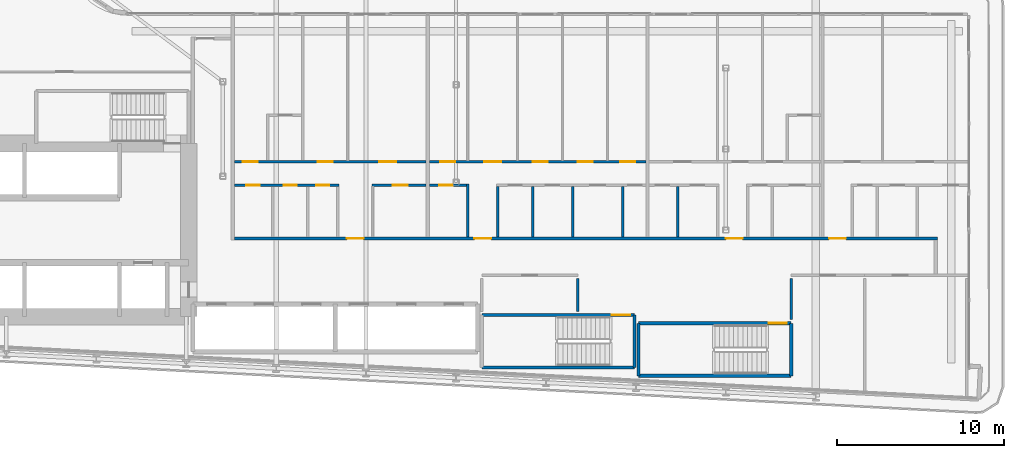
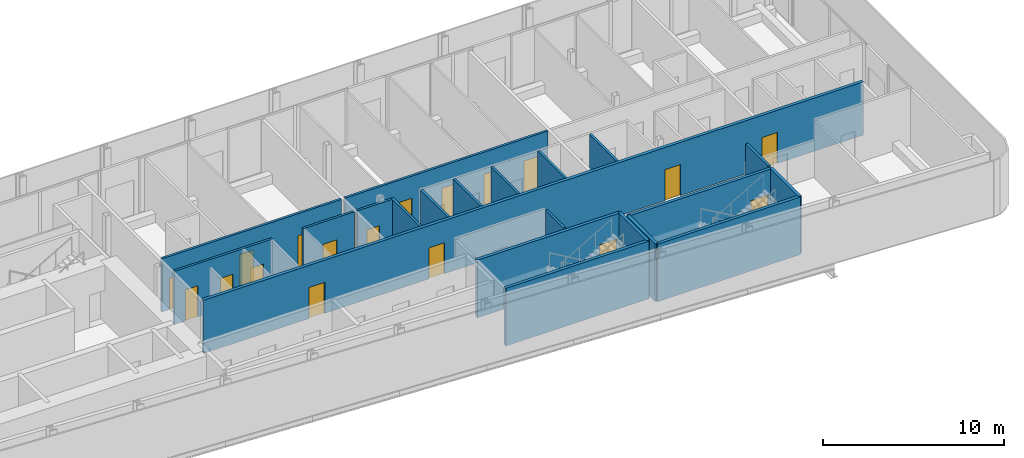
# One storey, part 15 of 28: 21 walls, 19 doors, 19 openings.
"""IFC4 building model written with IfcOpenShell, lengths in metres."""

from ifc_helpers import new_model, si_unit, direction, frame, frame_2d, origin, place, context, subcontext, project, spatial, rectangle, extrude, source, transform, mapped, material, layer, layer_set, type_object, element, fill, save


model = new_model("IFC4")

# Units and contexts
model_context = context("Model", 3, precision=1e-05, world=origin(), true_north=direction((0.0, 1.0)))
body_context = subcontext(model_context, "Body", "Model", "MODEL_VIEW")
ifc_project = project(units=[si_unit("LENGTHUNIT", "METRE"), si_unit("AREAUNIT", "SQUARE_METRE"), si_unit("VOLUMEUNIT", "CUBIC_METRE"), si_unit("PLANEANGLEUNIT", "RADIAN"), si_unit("MASSUNIT", "GRAM", prefix="KILO")], contexts=[model_context])

# Site, building, storey
site_placement = place(None, origin())
site = spatial("IfcSite", under=ifc_project, at=site_placement, CompositionType="ELEMENT")
building_placement = place(site_placement, origin())
building = spatial("IfcBuilding", under=site, at=building_placement, Name="Kheshtan School and Residences Tower", CompositionType="ELEMENT")
storey_placement = place(building_placement, frame((0.0, 0.0, 73.39990234375)))
storey = spatial("IfcBuildingStorey", under=building, at=storey_placement, Name="L17", CompositionType="ELEMENT", Elevation=73.39990234375)

# Wall, openings, doors
ifc_material_1 = material(Name="Gypsum board on steel studs with fire boards", Category="steel")
ifc_layer_1 = layer(ifc_material_1, 0.199951171875)
ifc_layer_set_1 = layer_set([ifc_layer_1], Name="Corridor wall 200")
wall_type_1 = type_object("IfcWallType", Name="Corridor wall 200", PredefinedType="PARTITIONING", material=ifc_layer_set_1)
wall_1_placement = place(storey_placement, frame((55.89990234375, 30.5, 0.0), z_axis=(0.0, 0.0, 1.0), x_axis=(1.0, 0.0, 0.0)))
wall_1 = element("IfcWall", 1, at=wall_1_placement, inside=storey, type_object=wall_type_1, Name="Partition L17-047", PredefinedType="PARTITIONING", context=body_context, shape_type="SweptSolid", body=[
    extrude(rectangle(XDim=42.2001953125, YDim=0.199951171875, at=frame_2d((21.10009765625, 0.0))), origin(), (0.0, 0.0, 1.0), 3.60009765625),
])
opening_1_placement = place(wall_1_placement, frame((6.75, 0.0, 0.0)))
opening_1 = element("IfcOpeningElement", 2, at=opening_1_placement, cuts=wall_1, Name="Opening D17-004", PredefinedType="OPENING", context=body_context, shape_type="SweptSolid", body=[
    extrude(rectangle(XDim=1.0, YDim=2.10009765625, at=frame_2d((0.5, 1.050048828125))), frame((0.0, 0.10986328125, 0.0), z_axis=(0.0, -1.0, 0.0), x_axis=(1.0, 0.0, 0.0)), (0.0, 0.0, 1.0), 0.219970703125),
])
opening_2_placement = place(wall_1_placement, frame((14.39990234375, 0.0, 0.0)))
opening_2 = element("IfcOpeningElement", 3, at=opening_2_placement, cuts=wall_1, Name="Opening D17-014", PredefinedType="OPENING", context=body_context, shape_type="SweptSolid", body=[
    extrude(rectangle(XDim=1.0, YDim=2.10009765625, at=frame_2d((0.5, 1.050048828125))), frame((0.0, 0.10986328125, 0.0), z_axis=(0.0, -1.0, 0.0), x_axis=(1.0, 0.0, 0.0)), (0.0, 0.0, 1.0), 0.219970703125),
])
opening_3_placement = place(wall_1_placement, frame((29.5, 0.0, 0.0)))
opening_3 = element("IfcOpeningElement", 4, at=opening_3_placement, cuts=wall_1, Name="Opening D17-024", PredefinedType="OPENING", context=body_context, shape_type="SweptSolid", body=[
    extrude(rectangle(XDim=1.0, YDim=2.10009765625, at=frame_2d((0.5, 1.050048828125))), frame((0.0, 0.10986328125, 0.0), z_axis=(0.0, -1.0, 0.0), x_axis=(1.0, 0.0, 0.0)), (0.0, 0.0, 1.0), 0.219970703125),
])
opening_4_placement = place(wall_1_placement, frame((35.699951171875, 0.0, 0.0)))
opening_4 = element("IfcOpeningElement", 5, at=opening_4_placement, cuts=wall_1, Name="Opening D17-032", PredefinedType="OPENING", context=body_context, shape_type="SweptSolid", body=[
    extrude(rectangle(XDim=1.0, YDim=2.10009765625, at=frame_2d((0.5, 1.050048828125))), frame((0.0, 0.10986328125, 0.0), z_axis=(0.0, -1.0, 0.0), x_axis=(1.0, 0.0, 0.0)), (0.0, 0.0, 1.0), 0.219970703125),
])
ifc_material_2 = material(Name="Steel-framed fire-resisting door leaf", Category="steel")
door_type_1 = type_object("IfcDoorType", Name="Fire door FD30S 1000 x 2100", OperationType="SINGLE_SWING_LEFT", PredefinedType="DOOR", material=ifc_material_2)
shared_shape_1 = source(origin(), body_context, "Body", "SweptSolid", [
    extrude(rectangle(XDim=1.0, YDim=2.10009765625, at=frame_2d((0.5, 1.050048828125))), frame((0.0, 0.02490234375, 0.0), z_axis=(0.0, -1.0, 0.0), x_axis=(1.0, 0.0, 0.0)), (0.0, 0.0, 1.0), 0.050048828125),
])
door_1_placement = place(opening_1_placement, origin())
door_1 = element("IfcDoor", 6, at=door_1_placement, inside=storey, type_object=door_type_1, Name="Door D17-004", OperationType="SINGLE_SWING_RIGHT", OverallHeight=2.10009765625, OverallWidth=1.0, PredefinedType="DOOR", context=body_context, shape_type="MappedRepresentation", body=[
    mapped(shared_shape_1, transform((0.0, 0.0, 0.0), x_axis=(1.0, 0.0, 0.0), y_axis=(0.0, 1.0, 0.0), z_axis=(0.0, 0.0, 1.0), scale=1.0)),
])
fill(opening_1, door_1)
door_2_placement = place(opening_2_placement, origin())
door_2 = element("IfcDoor", 7, at=door_2_placement, inside=storey, type_object=door_type_1, Name="Door D17-014", OperationType="SINGLE_SWING_RIGHT", OverallHeight=2.10009765625, OverallWidth=1.0, PredefinedType="DOOR", context=body_context, shape_type="MappedRepresentation", body=[
    mapped(shared_shape_1, transform((0.0, 0.0, 0.0), x_axis=(1.0, 0.0, 0.0), y_axis=(0.0, 1.0, 0.0), z_axis=(0.0, 0.0, 1.0), scale=1.0)),
])
fill(opening_2, door_2)
door_3_placement = place(opening_3_placement, origin())
door_3 = element("IfcDoor", 8, at=door_3_placement, inside=storey, type_object=door_type_1, Name="Door D17-024", OperationType="SINGLE_SWING_RIGHT", OverallHeight=2.10009765625, OverallWidth=1.0, PredefinedType="DOOR", context=body_context, shape_type="MappedRepresentation", body=[
    mapped(shared_shape_1, transform((0.0, 0.0, 0.0), x_axis=(1.0, 0.0, 0.0), y_axis=(0.0, 1.0, 0.0), z_axis=(0.0, 0.0, 1.0), scale=1.0)),
])
fill(opening_3, door_3)
door_4_placement = place(opening_4_placement, origin())
door_4 = element("IfcDoor", 9, at=door_4_placement, inside=storey, type_object=door_type_1, Name="Door D17-032", OperationType="SINGLE_SWING_LEFT", OverallHeight=2.10009765625, OverallWidth=1.0, PredefinedType="DOOR", context=body_context, shape_type="MappedRepresentation", body=[
    mapped(shared_shape_1, transform((0.0, 0.0, 0.0), x_axis=(1.0, 0.0, 0.0), y_axis=(0.0, 1.0, 0.0), z_axis=(0.0, 0.0, 1.0), scale=1.0)),
])
fill(opening_4, door_4)

# Walls
ifc_material_3 = material(Name="Fire-board shaft wall system")
ifc_layer_2 = layer(ifc_material_3, 0.14990234375)
ifc_layer_set_2 = layer_set([ifc_layer_2], Name="Service room wall 150")
wall_type_2 = type_object("IfcWallType", Name="Service room wall 150", PredefinedType="PARTITIONING", material=ifc_layer_set_2)
wall_2_placement = place(storey_placement, frame((76.510009765625, 26.1201171875, 0.0), z_axis=(0.0, 0.0, 1.0), x_axis=(0.0, 1.0, 0.0)))
element("IfcWall", 10, at=wall_2_placement, inside=storey, type_object=wall_type_2, Name="Service room wall", PredefinedType="PARTITIONING", context=body_context, shape_type="SweptSolid", body=[
    extrude(rectangle(XDim=1.98486328125, YDim=0.14990234375, at=frame_2d((0.992431640625, 0.0))), origin(), (0.0, 0.0, 1.0), 3.900146484375),
])
wall_3_placement = place(storey_placement, frame((89.320068359375, 25.6201171875, 0.0), z_axis=(0.0, 0.0, 1.0), x_axis=(0.0, 1.0, 0.0)))
element("IfcWall", 11, at=wall_3_placement, inside=storey, type_object=wall_type_2, Name="Service room wall", PredefinedType="PARTITIONING", context=body_context, shape_type="SweptSolid", body=[
    extrude(rectangle(XDim=2.48486328125, YDim=0.14990234375, at=frame_2d((1.242431640625, 0.0))), origin(), (0.0, 0.0, 1.0), 3.900146484375),
])
ifc_material_4 = material(Name="Concrete C40/50", Category="concrete")
ifc_layer_3 = layer(ifc_material_4, 0.199951171875)
ifc_layer_set_3 = layer_set([ifc_layer_3], Name="Stair enclosure wall 200 Concrete C40/50")
wall_type_3 = type_object("IfcWallType", Name="Stair enclosure wall 200 Concrete C40/50", PredefinedType="SHEAR", material=ifc_layer_set_3)
wall_4_placement = place(storey_placement, frame((80.159912109375, 22.25, 0.0), z_axis=(0.0, 0.0, 1.0), x_axis=(1.0, 0.0, 0.0)))
element("IfcWall", 12, at=wall_4_placement, inside=storey, type_object=wall_type_3, Name="Stair enclosure wall ST4", PredefinedType="SHEAR", context=body_context, shape_type="SweptSolid", body=[
    extrude(rectangle(XDim=9.16015625, YDim=0.199951171875, at=frame_2d((4.580078125, 0.0))), origin(), (0.0, 0.0, 1.0), 3.900146484375),
])

# Wall, opening, door
wall_5_placement = place(storey_placement, frame((80.159912109375, 25.39990234375, 0.0), z_axis=(0.0, 0.0, 1.0), x_axis=(1.0, 0.0, 0.0)))
wall_5 = element("IfcWall", 13, at=wall_5_placement, inside=storey, type_object=wall_type_3, Name="Stair enclosure wall ST4", PredefinedType="SHEAR", context=body_context, shape_type="SweptSolid", body=[
    extrude(rectangle(XDim=9.16015625, YDim=0.199951171875, at=frame_2d((4.580078125, 0.0))), origin(), (0.0, 0.0, 1.0), 3.900146484375),
])
opening_5_placement = place(wall_5_placement, frame((7.81005859375, 0.0, 0.0)))
opening_5 = element("IfcOpeningElement", 14, at=opening_5_placement, cuts=wall_5, Name="Opening ST4D", PredefinedType="OPENING", context=body_context, shape_type="SweptSolid", body=[
    extrude(rectangle(XDim=1.10009765625, YDim=2.199951171875, at=frame_2d((0.550048828125, 1.10009765625))), frame((0.0, 0.10986328125, 0.0), z_axis=(0.0, -1.0, 0.0), x_axis=(1.0, 0.0, 0.0)), (0.0, 0.0, 1.0), 0.219970703125),
])
ifc_material_5 = material(Name="Steel door leaf, galvanised", Category="steel")
door_type_2 = type_object("IfcDoorType", Name="Stair door 1100 steel 90 min", OperationType="SINGLE_SWING_LEFT", PredefinedType="DOOR", material=ifc_material_5)
shared_shape_2 = source(origin(), body_context, "Body", "SweptSolid", [
    extrude(rectangle(XDim=1.10009765625, YDim=2.199951171875, at=frame_2d((0.550048828125, 1.10009765625))), frame((0.0, 0.02490234375, 0.0), z_axis=(0.0, -1.0, 0.0), x_axis=(1.0, 0.0, 0.0)), (0.0, 0.0, 1.0), 0.050048828125),
])
door_5_placement = place(opening_5_placement, origin())
door_5 = element("IfcDoor", 15, at=door_5_placement, inside=storey, type_object=door_type_2, Name="Stair ST4 door", OperationType="SINGLE_SWING_LEFT", OverallHeight=2.199951171875, OverallWidth=1.10009765625, PredefinedType="DOOR", context=body_context, shape_type="MappedRepresentation", body=[
    mapped(shared_shape_2, transform((0.0, 0.0, 0.0), x_axis=(1.0, 0.0, 0.0), y_axis=(0.0, 1.0, 0.0), z_axis=(0.0, 0.0, 1.0), scale=1.0)),
])
fill(opening_5, door_5)

# Walls
for number, where, z_axis, x_axis, name in (
    (16, (80.159912109375, 22.25, 0.0), (0.0, 0.0, 1.0), (0.0, 1.0, 0.0), "Stair enclosure wall ST4"),
    (17, (89.320068359375, 22.25, 0.0), (0.0, 0.0, 1.0), (0.0, 1.0, 0.0), "Stair enclosure wall ST4"),
):
    element("IfcWall", number, at=place(storey_placement, frame(where, z_axis=z_axis, x_axis=x_axis)), inside=storey, type_object=wall_type_3, Name=name, PredefinedType="SHEAR", context=body_context, shape_type="SweptSolid", body=[
        extrude(rectangle(XDim=3.14990234375, YDim=0.199951171875, at=frame_2d((1.574951171875, 0.0))), origin(), (0.0, 0.0, 1.0), 3.900146484375),
    ])
wall_6_placement = place(storey_placement, frame((70.75, 22.75, 0.0), z_axis=(0.0, 0.0, 1.0), x_axis=(1.0, 0.0, 0.0)))
element("IfcWall", 18, at=wall_6_placement, inside=storey, type_object=wall_type_3, Name="Stair enclosure wall ST5", PredefinedType="SHEAR", context=body_context, shape_type="SweptSolid", body=[
    extrude(rectangle(XDim=9.159912109375, YDim=0.199951171875, at=frame_2d((4.580078125, 0.0))), origin(), (0.0, 0.0, 1.0), 3.900146484375),
])

# Wall, opening, door
wall_7_placement = place(storey_placement, frame((70.75, 25.89990234375, 0.0), z_axis=(0.0, 0.0, 1.0), x_axis=(1.0, 0.0, 0.0)))
wall_7 = element("IfcWall", 19, at=wall_7_placement, inside=storey, type_object=wall_type_3, Name="Stair enclosure wall ST5", PredefinedType="SHEAR", context=body_context, shape_type="SweptSolid", body=[
    extrude(rectangle(XDim=9.159912109375, YDim=0.199951171875, at=frame_2d((4.580078125, 0.0))), origin(), (0.0, 0.0, 1.0), 3.900146484375),
])
opening_6_placement = place(wall_7_placement, frame((7.81005859375, 0.0, 0.0)))
opening_6 = element("IfcOpeningElement", 20, at=opening_6_placement, cuts=wall_7, Name="Opening ST5D", PredefinedType="OPENING", context=body_context, shape_type="SweptSolid", body=[
    extrude(rectangle(XDim=1.10009765625, YDim=2.199951171875, at=frame_2d((0.550048828125, 1.10009765625))), frame((0.0, 0.10986328125, 0.0), z_axis=(0.0, -1.0, 0.0), x_axis=(1.0, 0.0, 0.0)), (0.0, 0.0, 1.0), 0.219970703125),
])
door_6_placement = place(opening_6_placement, origin())
door_6 = element("IfcDoor", 21, at=door_6_placement, inside=storey, type_object=door_type_2, Name="Stair ST5 door", OperationType="SINGLE_SWING_LEFT", OverallHeight=2.199951171875, OverallWidth=1.10009765625, PredefinedType="DOOR", context=body_context, shape_type="MappedRepresentation", body=[
    mapped(shared_shape_2, transform((0.0, 0.0, 0.0), x_axis=(1.0, 0.0, 0.0), y_axis=(0.0, 1.0, 0.0), z_axis=(0.0, 0.0, 1.0), scale=1.0)),
])
fill(opening_6, door_6)

# Wall
wall_8_placement = place(storey_placement, frame((79.909912109375, 22.75, 0.0), z_axis=(0.0, 0.0, 1.0), x_axis=(0.0, 1.0, 0.0)))
element("IfcWall", 22, at=wall_8_placement, inside=storey, type_object=wall_type_3, Name="Stair enclosure wall ST5", PredefinedType="SHEAR", context=body_context, shape_type="SweptSolid", body=[
    extrude(rectangle(XDim=3.14990234375, YDim=0.199951171875, at=frame_2d((1.574951171875, 0.0))), origin(), (0.0, 0.0, 1.0), 3.900146484375),
])

# Wall, openings, doors
ifc_material_6 = material(Name="Moisture-resistant gypsum board on steel studs", Category="steel")
ifc_layer_4 = layer(ifc_material_6, 0.14990234375)
ifc_layer_set_4 = layer_set([ifc_layer_4], Name="Wet-room partition 150")
wall_type_4 = type_object("IfcWallType", Name="Wet-room partition 150", PredefinedType="PARTITIONING", material=ifc_layer_set_4)
wall_9_placement = place(storey_placement, frame((55.89990234375, 33.699951171875, 0.0), z_axis=(0.0, 0.0, 1.0), x_axis=(1.0, 0.0, 0.0)))
wall_9 = element("IfcWall", 23, at=wall_9_placement, inside=storey, type_object=wall_type_4, Name="Partition L17-048", PredefinedType="PARTITIONING", context=body_context, shape_type="SweptSolid", body=[
    extrude(rectangle(XDim=6.275146484375, YDim=0.14990234375, at=frame_2d((3.1376953125, 0.0))), origin(), (0.0, 0.0, 1.0), 3.60009765625),
])
opening_7_placement = place(wall_9_placement, frame((0.699951171875, 0.0, 0.0)))
opening_7 = element("IfcOpeningElement", 24, at=opening_7_placement, cuts=wall_9, Name="Opening D17-001", PredefinedType="OPENING", context=body_context, shape_type="SweptSolid", body=[
    extrude(rectangle(XDim=0.800048828125, YDim=2.10009765625, at=frame_2d((0.39990234375, 1.050048828125))), frame((0.0, 0.0849609375, 0.0), z_axis=(0.0, -1.0, 0.0), x_axis=(1.0, 0.0, 0.0)), (0.0, 0.0, 1.0), 0.169921875),
])
opening_8_placement = place(wall_9_placement, frame((2.949951171875, 0.0, 0.0)))
opening_8 = element("IfcOpeningElement", 25, at=opening_8_placement, cuts=wall_9, Name="Opening D17-006", PredefinedType="OPENING", context=body_context, shape_type="SweptSolid", body=[
    extrude(rectangle(XDim=0.800048828125, YDim=2.10009765625, at=frame_2d((0.39990234375, 1.050048828125))), frame((0.0, 0.0849609375, 0.0), z_axis=(0.0, -1.0, 0.0), x_axis=(1.0, 0.0, 0.0)), (0.0, 0.0, 1.0), 0.169921875),
])
opening_9_placement = place(wall_9_placement, frame((4.89990234375, 0.0, 0.0)))
opening_9 = element("IfcOpeningElement", 26, at=opening_9_placement, cuts=wall_9, Name="Opening D17-009", PredefinedType="OPENING", context=body_context, shape_type="SweptSolid", body=[
    extrude(rectangle(XDim=0.800048828125, YDim=2.10009765625, at=frame_2d((0.39990234375, 1.050048828125))), frame((0.0, 0.0849609375, 0.0), z_axis=(0.0, -1.0, 0.0), x_axis=(1.0, 0.0, 0.0)), (0.0, 0.0, 1.0), 0.169921875),
])
ifc_material_7 = material(Name="Veneered timber door leaf", Category="wood")
door_type_3 = type_object("IfcDoorType", Name="Door 800 x 2100", OperationType="SINGLE_SWING_LEFT", PredefinedType="DOOR", material=ifc_material_7)
shared_shape_3 = source(origin(), body_context, "Body", "SweptSolid", [
    extrude(rectangle(XDim=0.800048828125, YDim=2.10009765625, at=frame_2d((0.39990234375, 1.050048828125))), frame((0.0, 0.02490234375, 0.0), z_axis=(0.0, -1.0, 0.0), x_axis=(1.0, 0.0, 0.0)), (0.0, 0.0, 1.0), 0.050048828125),
])
door_7_placement = place(opening_7_placement, origin())
door_7 = element("IfcDoor", 27, at=door_7_placement, inside=storey, type_object=door_type_3, Name="Door D17-001", OperationType="SINGLE_SWING_RIGHT", OverallHeight=2.10009765625, OverallWidth=0.800048828125, PredefinedType="DOOR", context=body_context, shape_type="MappedRepresentation", body=[
    mapped(shared_shape_3, transform((0.0, 0.0, 0.0), x_axis=(1.0, 0.0, 0.0), y_axis=(0.0, 1.0, 0.0), z_axis=(0.0, 0.0, 1.0), scale=1.0)),
])
fill(opening_7, door_7)
door_8_placement = place(opening_8_placement, origin())
door_8 = element("IfcDoor", 28, at=door_8_placement, inside=storey, type_object=door_type_3, Name="Door D17-006", OperationType="SINGLE_SWING_LEFT", OverallHeight=2.10009765625, OverallWidth=0.800048828125, PredefinedType="DOOR", context=body_context, shape_type="MappedRepresentation", body=[
    mapped(shared_shape_3, transform((0.0, 0.0, 0.0), x_axis=(1.0, 0.0, 0.0), y_axis=(0.0, 1.0, 0.0), z_axis=(0.0, 0.0, 1.0), scale=1.0)),
])
fill(opening_8, door_8)
door_9_placement = place(opening_9_placement, origin())
door_9 = element("IfcDoor", 29, at=door_9_placement, inside=storey, type_object=door_type_3, Name="Door D17-009", OperationType="SINGLE_SWING_RIGHT", OverallHeight=2.10009765625, OverallWidth=0.800048828125, PredefinedType="DOOR", context=body_context, shape_type="MappedRepresentation", body=[
    mapped(shared_shape_3, transform((0.0, 0.0, 0.0), x_axis=(1.0, 0.0, 0.0), y_axis=(0.0, 1.0, 0.0), z_axis=(0.0, 0.0, 1.0), scale=1.0)),
])
fill(opening_9, door_9)

wall_10_placement = place(storey_placement, frame((55.89990234375, 35.10009765625, 0.0), z_axis=(0.0, 0.0, 1.0), x_axis=(1.0, 0.0, 0.0)))
wall_10 = element("IfcWall", 30, at=wall_10_placement, inside=storey, type_object=wall_type_4, Name="Partition L17-049", PredefinedType="PARTITIONING", context=body_context, shape_type="SweptSolid", body=[
    extrude(rectangle(XDim=11.5, YDim=0.14990234375, at=frame_2d((5.75, 0.0))), origin(), (0.0, 0.0, 1.0), 3.60009765625),
])
opening_10_placement = place(wall_10_placement, frame((5.0, 0.0, 0.0)))
opening_10 = element("IfcOpeningElement", 31, at=opening_10_placement, cuts=wall_10, Name="Opening D17-002", PredefinedType="OPENING", context=body_context, shape_type="SweptSolid", body=[
    extrude(rectangle(XDim=0.89990234375, YDim=2.10009765625, at=frame_2d((0.449951171875, 1.050048828125))), frame((0.0, 0.0849609375, 0.0), z_axis=(0.0, -1.0, 0.0), x_axis=(1.0, 0.0, 0.0)), (0.0, 0.0, 1.0), 0.169921875),
])
opening_11_placement = place(wall_10_placement, frame((8.699951171875, 0.0, 0.0)))
opening_11 = element("IfcOpeningElement", 32, at=opening_11_placement, cuts=wall_10, Name="Opening D17-007", PredefinedType="OPENING", context=body_context, shape_type="SweptSolid", body=[
    extrude(rectangle(XDim=1.0, YDim=2.10009765625, at=frame_2d((0.5, 1.050048828125))), frame((0.0, 0.0849609375, 0.0), z_axis=(0.0, -1.0, 0.0), x_axis=(1.0, 0.0, 0.0)), (0.0, 0.0, 1.0), 0.169921875),
])
opening_12_placement = place(wall_10_placement, frame((0.5, 0.0, 0.0)))
opening_12 = element("IfcOpeningElement", 33, at=opening_12_placement, cuts=wall_10, Name="Opening D17-008", PredefinedType="OPENING", context=body_context, shape_type="SweptSolid", body=[
    extrude(rectangle(XDim=0.89990234375, YDim=2.10009765625, at=frame_2d((0.449951171875, 1.050048828125))), frame((0.0, 0.0849609375, 0.0), z_axis=(0.0, -1.0, 0.0), x_axis=(1.0, 0.0, 0.0)), (0.0, 0.0, 1.0), 0.169921875),
])
door_type_4 = type_object("IfcDoorType", Name="Door 1000 x 2100", OperationType="SINGLE_SWING_LEFT", PredefinedType="DOOR", material=ifc_material_7)
shared_shape_4 = source(origin(), body_context, "Body", "SweptSolid", [
    extrude(rectangle(XDim=1.0, YDim=2.10009765625, at=frame_2d((0.5, 1.050048828125))), frame((0.0, 0.02490234375, 0.0), z_axis=(0.0, -1.0, 0.0), x_axis=(1.0, 0.0, 0.0)), (0.0, 0.0, 1.0), 0.050048828125),
])
door_10_placement = place(opening_11_placement, origin())
door_10 = element("IfcDoor", 34, at=door_10_placement, inside=storey, type_object=door_type_4, Name="Door D17-007", OperationType="SINGLE_SWING_RIGHT", OverallHeight=2.10009765625, OverallWidth=1.0, PredefinedType="DOOR", context=body_context, shape_type="MappedRepresentation", body=[
    mapped(shared_shape_4, transform((0.0, 0.0, 0.0), x_axis=(1.0, 0.0, 0.0), y_axis=(0.0, 1.0, 0.0), z_axis=(0.0, 0.0, 1.0), scale=1.0)),
])
fill(opening_11, door_10)
door_type_5 = type_object("IfcDoorType", Name="Door 900 x 2100", OperationType="SINGLE_SWING_LEFT", PredefinedType="DOOR", material=ifc_material_7)
shared_shape_5 = source(origin(), body_context, "Body", "SweptSolid", [
    extrude(rectangle(XDim=0.89990234375, YDim=2.10009765625, at=frame_2d((0.449951171875, 1.050048828125))), frame((0.0, 0.02490234375, 0.0), z_axis=(0.0, -1.0, 0.0), x_axis=(1.0, 0.0, 0.0)), (0.0, 0.0, 1.0), 0.050048828125),
])
door_11_placement = place(opening_10_placement, origin())
door_11 = element("IfcDoor", 35, at=door_11_placement, inside=storey, type_object=door_type_5, Name="Door D17-002", OperationType="SINGLE_SWING_LEFT", OverallHeight=2.10009765625, OverallWidth=0.89990234375, PredefinedType="DOOR", context=body_context, shape_type="MappedRepresentation", body=[
    mapped(shared_shape_5, transform((0.0, 0.0, 0.0), x_axis=(1.0, 0.0, 0.0), y_axis=(0.0, 1.0, 0.0), z_axis=(0.0, 0.0, 1.0), scale=1.0)),
])
fill(opening_10, door_11)
door_12_placement = place(opening_12_placement, origin())
door_12 = element("IfcDoor", 36, at=door_12_placement, inside=storey, type_object=door_type_5, Name="Door D17-008", OperationType="SINGLE_SWING_RIGHT", OverallHeight=2.10009765625, OverallWidth=0.89990234375, PredefinedType="DOOR", context=body_context, shape_type="MappedRepresentation", body=[
    mapped(shared_shape_5, transform((0.0, 0.0, 0.0), x_axis=(1.0, 0.0, 0.0), y_axis=(0.0, 1.0, 0.0), z_axis=(0.0, 0.0, 1.0), scale=1.0)),
])
fill(opening_12, door_12)

# Wall, opening, door
wall_11_placement = place(storey_placement, frame((64.14990234375, 33.699951171875, 0.0), z_axis=(0.0, 0.0, 1.0), x_axis=(1.0, 0.0, 0.0)))
wall_11 = element("IfcWall", 37, at=wall_11_placement, inside=storey, type_object=wall_type_4, Name="Partition L17-057", PredefinedType="PARTITIONING", context=body_context, shape_type="SweptSolid", body=[
    extrude(rectangle(XDim=3.25, YDim=0.14990234375, at=frame_2d((1.625, 0.0))), origin(), (0.0, 0.0, 1.0), 3.60009765625),
])
opening_13_placement = place(wall_11_placement, frame((1.25, 0.0, 0.0)))
opening_13 = element("IfcOpeningElement", 38, at=opening_13_placement, cuts=wall_11, Name="Opening D17-005", PredefinedType="OPENING", context=body_context, shape_type="SweptSolid", body=[
    extrude(rectangle(XDim=0.89990234375, YDim=2.10009765625, at=frame_2d((0.449951171875, 1.050048828125))), frame((0.0, 0.0849609375, 0.0), z_axis=(0.0, -1.0, 0.0), x_axis=(1.0, 0.0, 0.0)), (0.0, 0.0, 1.0), 0.169921875),
])
door_13_placement = place(opening_13_placement, origin())
door_13 = element("IfcDoor", 39, at=door_13_placement, inside=storey, type_object=door_type_5, Name="Door D17-005", OperationType="SINGLE_SWING_LEFT", OverallHeight=2.10009765625, OverallWidth=0.89990234375, PredefinedType="DOOR", context=body_context, shape_type="MappedRepresentation", body=[
    mapped(shared_shape_5, transform((0.0, 0.0, 0.0), x_axis=(1.0, 0.0, 0.0), y_axis=(0.0, 1.0, 0.0), z_axis=(0.0, 0.0, 1.0), scale=1.0)),
])
fill(opening_13, door_13)

wall_12_placement = place(storey_placement, frame((67.60009765625, 33.699951171875, 0.0), z_axis=(0.0, 0.0, 1.0), x_axis=(1.0, 0.0, 0.0)))
wall_12 = element("IfcWall", 40, at=wall_12_placement, inside=storey, type_object=wall_type_4, Name="Partition L17-060", PredefinedType="PARTITIONING", context=body_context, shape_type="SweptSolid", body=[
    extrude(rectangle(XDim=2.224853515625, YDim=0.14990234375, at=frame_2d((1.1123046875, 0.0))), origin(), (0.0, 0.0, 1.0), 3.60009765625),
])
opening_14_placement = place(wall_12_placement, frame((0.60009765625, 0.0, 0.0)))
opening_14 = element("IfcOpeningElement", 41, at=opening_14_placement, cuts=wall_12, Name="Opening D17-010", PredefinedType="OPENING", context=body_context, shape_type="SweptSolid", body=[
    extrude(rectangle(XDim=0.800048828125, YDim=2.10009765625, at=frame_2d((0.39990234375, 1.050048828125))), frame((0.0, 0.0849609375, 0.0), z_axis=(0.0, -1.0, 0.0), x_axis=(1.0, 0.0, 0.0)), (0.0, 0.0, 1.0), 0.169921875),
])
door_14_placement = place(opening_14_placement, origin())
door_14 = element("IfcDoor", 42, at=door_14_placement, inside=storey, type_object=door_type_3, Name="Door D17-010", OperationType="SINGLE_SWING_RIGHT", OverallHeight=2.10009765625, OverallWidth=0.800048828125, PredefinedType="DOOR", context=body_context, shape_type="MappedRepresentation", body=[
    mapped(shared_shape_3, transform((0.0, 0.0, 0.0), x_axis=(1.0, 0.0, 0.0), y_axis=(0.0, 1.0, 0.0), z_axis=(0.0, 0.0, 1.0), scale=1.0)),
])
fill(opening_14, door_14)

# Wall, openings, doors
wall_13_placement = place(storey_placement, frame((67.60009765625, 35.10009765625, 0.0), z_axis=(0.0, 0.0, 1.0), x_axis=(1.0, 0.0, 0.0)))
wall_13 = element("IfcWall", 43, at=wall_13_placement, inside=storey, type_object=wall_type_4, Name="Partition L17-061", PredefinedType="PARTITIONING", context=body_context, shape_type="SweptSolid", body=[
    extrude(rectangle(XDim=13.0, YDim=0.14990234375, at=frame_2d((6.5, 0.0))), origin(), (0.0, 0.0, 1.0), 3.60009765625),
])
opening_15_placement = place(wall_13_placement, frame((0.64990234375, 0.0, 0.0)))
opening_15 = element("IfcOpeningElement", 44, at=opening_15_placement, cuts=wall_13, Name="Opening D17-012", PredefinedType="OPENING", context=body_context, shape_type="SweptSolid", body=[
    extrude(rectangle(XDim=0.89990234375, YDim=2.10009765625, at=frame_2d((0.449951171875, 1.050048828125))), frame((0.0, 0.0849609375, 0.0), z_axis=(0.0, -1.0, 0.0), x_axis=(1.0, 0.0, 0.0)), (0.0, 0.0, 1.0), 0.169921875),
])
opening_16_placement = place(wall_13_placement, frame((8.89990234375, 0.0, 0.0)))
opening_16 = element("IfcOpeningElement", 45, at=opening_16_placement, cuts=wall_13, Name="Opening D17-013", PredefinedType="OPENING", context=body_context, shape_type="SweptSolid", body=[
    extrude(rectangle(XDim=0.89990234375, YDim=2.10009765625, at=frame_2d((0.449951171875, 1.050048828125))), frame((0.0, 0.0849609375, 0.0), z_axis=(0.0, -1.0, 0.0), x_axis=(1.0, 0.0, 0.0)), (0.0, 0.0, 1.0), 0.169921875),
])
opening_17_placement = place(wall_13_placement, frame((3.300048828125, 0.0, 0.0)))
opening_17 = element("IfcOpeningElement", 46, at=opening_17_placement, cuts=wall_13, Name="Opening D17-017", PredefinedType="OPENING", context=body_context, shape_type="SweptSolid", body=[
    extrude(rectangle(XDim=1.0, YDim=2.10009765625, at=frame_2d((0.5, 1.050048828125))), frame((0.0, 0.0849609375, 0.0), z_axis=(0.0, -1.0, 0.0), x_axis=(1.0, 0.0, 0.0)), (0.0, 0.0, 1.0), 0.169921875),
])
opening_18_placement = place(wall_13_placement, frame((11.449951171875, 0.0, 0.0)))
opening_18 = element("IfcOpeningElement", 47, at=opening_18_placement, cuts=wall_13, Name="Opening D17-018", PredefinedType="OPENING", context=body_context, shape_type="SweptSolid", body=[
    extrude(rectangle(XDim=0.89990234375, YDim=2.10009765625, at=frame_2d((0.449951171875, 1.050048828125))), frame((0.0, 0.0849609375, 0.0), z_axis=(0.0, -1.0, 0.0), x_axis=(1.0, 0.0, 0.0)), (0.0, 0.0, 1.0), 0.169921875),
])
opening_19_placement = place(wall_13_placement, frame((6.199951171875, 0.0, 0.0)))
opening_19 = element("IfcOpeningElement", 48, at=opening_19_placement, cuts=wall_13, Name="Opening D17-019", PredefinedType="OPENING", context=body_context, shape_type="SweptSolid", body=[
    extrude(rectangle(XDim=0.89990234375, YDim=2.10009765625, at=frame_2d((0.449951171875, 1.050048828125))), frame((0.0, 0.0849609375, 0.0), z_axis=(0.0, -1.0, 0.0), x_axis=(1.0, 0.0, 0.0)), (0.0, 0.0, 1.0), 0.169921875),
])
door_15_placement = place(opening_17_placement, origin())
door_15 = element("IfcDoor", 49, at=door_15_placement, inside=storey, type_object=door_type_4, Name="Door D17-017", OperationType="SINGLE_SWING_RIGHT", OverallHeight=2.10009765625, OverallWidth=1.0, PredefinedType="DOOR", context=body_context, shape_type="MappedRepresentation", body=[
    mapped(shared_shape_4, transform((0.0, 0.0, 0.0), x_axis=(1.0, 0.0, 0.0), y_axis=(0.0, 1.0, 0.0), z_axis=(0.0, 0.0, 1.0), scale=1.0)),
])
fill(opening_17, door_15)
door_16_placement = place(opening_15_placement, origin())
door_16 = element("IfcDoor", 50, at=door_16_placement, inside=storey, type_object=door_type_5, Name="Door D17-012", OperationType="SINGLE_SWING_LEFT", OverallHeight=2.10009765625, OverallWidth=0.89990234375, PredefinedType="DOOR", context=body_context, shape_type="MappedRepresentation", body=[
    mapped(shared_shape_5, transform((0.0, 0.0, 0.0), x_axis=(1.0, 0.0, 0.0), y_axis=(0.0, 1.0, 0.0), z_axis=(0.0, 0.0, 1.0), scale=1.0)),
])
fill(opening_15, door_16)
door_17_placement = place(opening_16_placement, origin())
door_17 = element("IfcDoor", 51, at=door_17_placement, inside=storey, type_object=door_type_5, Name="Door D17-013", OperationType="SINGLE_SWING_LEFT", OverallHeight=2.10009765625, OverallWidth=0.89990234375, PredefinedType="DOOR", context=body_context, shape_type="MappedRepresentation", body=[
    mapped(shared_shape_5, transform((0.0, 0.0, 0.0), x_axis=(1.0, 0.0, 0.0), y_axis=(0.0, 1.0, 0.0), z_axis=(0.0, 0.0, 1.0), scale=1.0)),
])
fill(opening_16, door_17)
door_18_placement = place(opening_18_placement, origin())
door_18 = element("IfcDoor", 52, at=door_18_placement, inside=storey, type_object=door_type_5, Name="Door D17-018", OperationType="SINGLE_SWING_RIGHT", OverallHeight=2.10009765625, OverallWidth=0.89990234375, PredefinedType="DOOR", context=body_context, shape_type="MappedRepresentation", body=[
    mapped(shared_shape_5, transform((0.0, 0.0, 0.0), x_axis=(1.0, 0.0, 0.0), y_axis=(0.0, 1.0, 0.0), z_axis=(0.0, 0.0, 1.0), scale=1.0)),
])
fill(opening_18, door_18)
door_19_placement = place(opening_19_placement, origin())
door_19 = element("IfcDoor", 53, at=door_19_placement, inside=storey, type_object=door_type_5, Name="Door D17-019", OperationType="SINGLE_SWING_RIGHT", OverallHeight=2.10009765625, OverallWidth=0.89990234375, PredefinedType="DOOR", context=body_context, shape_type="MappedRepresentation", body=[
    mapped(shared_shape_5, transform((0.0, 0.0, 0.0), x_axis=(1.0, 0.0, 0.0), y_axis=(0.0, 1.0, 0.0), z_axis=(0.0, 0.0, 1.0), scale=1.0)),
])
fill(opening_19, door_19)

# Walls
wall_14_placement = place(storey_placement, frame((69.89990234375, 30.60009765625, 0.0), z_axis=(0.0, 0.0, 1.0), x_axis=(0.0, 1.0, 0.0)))
element("IfcWall", 54, at=wall_14_placement, inside=storey, type_object=wall_type_4, Name="Partition L17-062", PredefinedType="PARTITIONING", context=body_context, shape_type="SweptSolid", body=[
    extrude(rectangle(XDim=3.1748046875, YDim=0.14990234375, at=frame_2d((1.58740234375, 0.0))), origin(), (0.0, 0.0, 1.0), 3.60009765625),
])
for number, where, z_axis, x_axis, name in (
    (55, (71.699951171875, 30.60009765625, 0.0), (0.0, 0.0, 1.0), (0.0, 1.0, 0.0), "Partition L17-065"),
    (56, (73.800048828125, 30.60009765625, 0.0), (0.0, 0.0, 1.0), (0.0, 1.0, 0.0), "Partition L17-067"),
    (57, (76.199951171875, 30.60009765625, 0.0), (0.0, 0.0, 1.0), (0.0, 1.0, 0.0), "Partition L17-069"),
    (58, (79.199951171875, 30.60009765625, 0.0), (0.0, 0.0, 1.0), (0.0, 1.0, 0.0), "Partition L17-071"),
    (59, (82.5, 30.60009765625, 0.0), (0.0, 0.0, 1.0), (0.0, 1.0, 0.0), "Partition L17-075"),
):
    element("IfcWall", number, at=place(storey_placement, frame(where, z_axis=z_axis, x_axis=x_axis)), inside=storey, type_object=wall_type_4, Name=name, PredefinedType="PARTITIONING", context=body_context, shape_type="SweptSolid", body=[
        extrude(rectangle(XDim=3.02490234375, YDim=0.14990234375, at=frame_2d((1.512451171875, 0.0))), origin(), (0.0, 0.0, 1.0), 3.60009765625),
    ])

save(model, "model.ifc")
